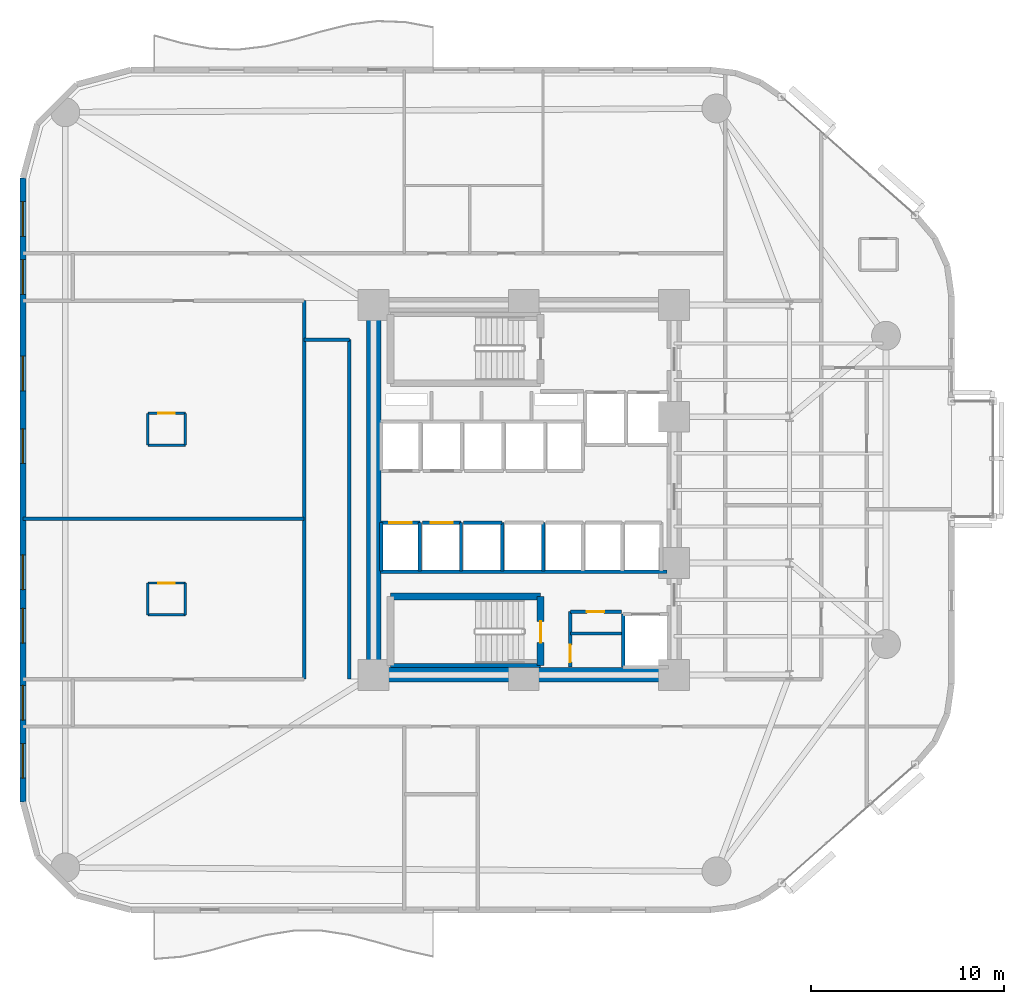
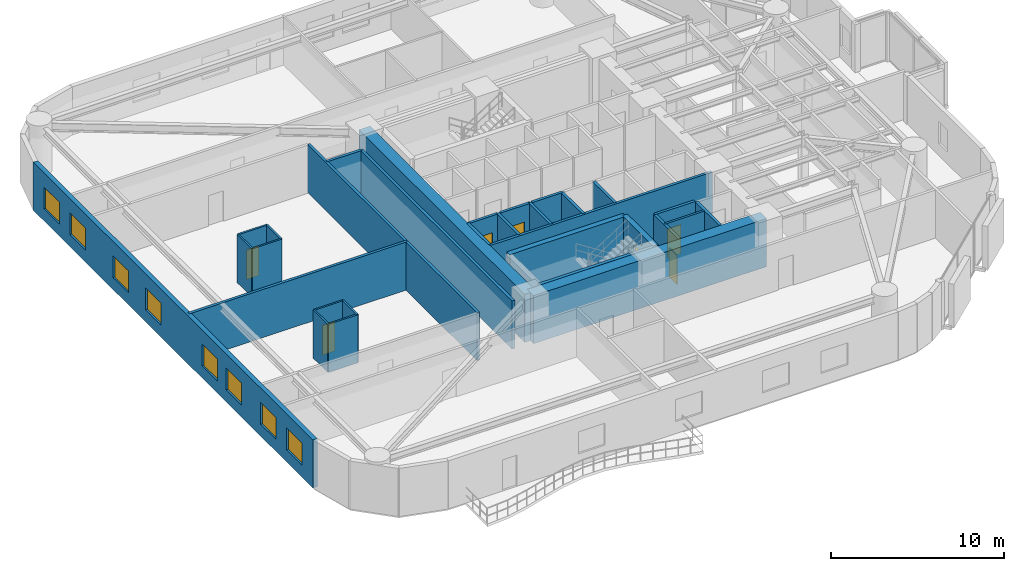
# One storey, part 10 of 16: 31 walls, 8 windows, 7 doors, 15 openings.
"""IFC4 building model written with IfcOpenShell, lengths in metres."""

import ifcopenshell
import ifcopenshell.guid

model = None  # the IFC model being written
_history = None  # IfcOwnerHistory: only IFC2X3 demands one
_inside = {}  # id of a spatial element -> (the spatial element, [elements in it])
_under = {}  # id of a project, library or spatial element -> (it, [spatial elements below it])
_declared = {}  # id of a project -> (the project, [libraries it declares])
_typed = {}  # id of a type object -> (the type object, [elements of that type])
_made_of = {}  # id of a material, layer set ... -> (it, [elements and type objects made of it])


def new_model(schema):
    """Start an empty IFC model of exactly this schema.

    Asked for "IFC4X3", IfcOpenShell would pick the latest addendum, in which some entities
    have other attributes; the version numbers below select the first issue.
    IFC2X3 requires an IfcOwnerHistory on every rooted entity: one is made here for all.
    """
    global model, _history
    if schema == "IFC4X3":
        model = ifcopenshell.file(schema_version=(4, 3, 0, 0))
    else:
        model = ifcopenshell.file(schema=schema)
    _inside.clear()
    _under.clear()
    _declared.clear()
    _typed.clear()
    _made_of.clear()
    _history = None
    if model.schema == "IFC2X3":
        org = make("IfcOrganization", Name="unknown")
        user = make(
            "IfcPersonAndOrganization",
            ThePerson=make("IfcPerson", FamilyName="unknown"),
            TheOrganization=org,
        )
        app = make(
            "IfcApplication",
            ApplicationDeveloper=org,
            Version="unknown",
            ApplicationFullName="unknown",
            ApplicationIdentifier="unknown",
        )
        _history = make(
            "IfcOwnerHistory",
            OwningUser=user,
            OwningApplication=app,
            ChangeAction="ADDED",
            CreationDate=0,
        )
    return model


def make(cls, **values):
    """One entity of the class cls with the attributes given. An attribute that is None is left unset."""
    return model.create_entity(
        cls, **{name: value for name, value in values.items() if value is not None}
    )


def rooted(cls, **values):
    """An entity with a GlobalId (a new one), such as an element, a storey or a relation."""
    return make(cls, GlobalId=ifcopenshell.guid.new(), OwnerHistory=_history, **values)


def si_unit(unit_type, name, prefix=None):
    """IfcSIUnit, for example si_unit("LENGTHUNIT", "METRE", prefix="MILLI")."""
    return make("IfcSIUnit", UnitType=unit_type, Prefix=prefix, Name=name)


def assignment(units):
    """IfcUnitAssignment: the units of a project."""
    return None if units is None else make("IfcUnitAssignment", Units=units)


def point(xyz):
    """IfcCartesianPoint."""
    return None if xyz is None else make("IfcCartesianPoint", Coordinates=xyz)


def direction(xyz):
    """IfcDirection."""
    return None if xyz is None else make("IfcDirection", DirectionRatios=xyz)


def frame(location, z_axis=None, x_axis=None):
    """IfcAxis2Placement3D, a coordinate frame: its origin and axes. An axis left out is left unset."""
    return make(
        "IfcAxis2Placement3D",
        Location=point(location),
        Axis=direction(z_axis),
        RefDirection=direction(x_axis),
    )


def frame_2d(location, x_axis=None):
    """IfcAxis2Placement2D, a coordinate frame in the plane: its origin and x axis."""
    return make(
        "IfcAxis2Placement2D", Location=point(location), RefDirection=direction(x_axis)
    )


def origin():
    """The frame at (0, 0, 0) with its axes left unset."""
    return frame((0.0, 0.0, 0.0))


def place(relative_to, where):
    """IfcLocalPlacement: puts the frame where relative to a parent placement (None: the world)."""
    return make(
        "IfcLocalPlacement", PlacementRelTo=relative_to, RelativePlacement=where
    )


def context(
    kind, dimensions, precision=None, world=None, true_north=None, identifier=None
):
    """IfcGeometricRepresentationContext, for example the 3D "Model" context."""
    return make(
        "IfcGeometricRepresentationContext",
        ContextIdentifier=identifier,
        ContextType=kind,
        CoordinateSpaceDimension=dimensions,
        Precision=precision,
        WorldCoordinateSystem=world,
        TrueNorth=true_north,
    )


def subcontext(parent, identifier, kind, view, scale=None):
    """IfcGeometricRepresentationSubContext, for example "Body" below "Model"."""
    return make(
        "IfcGeometricRepresentationSubContext",
        ContextIdentifier=identifier,
        ContextType=kind,
        ParentContext=parent,
        TargetScale=scale,
        TargetView=view,
    )


def project(units=None, contexts=None):
    """IfcProject with its units and contexts."""
    return rooted(
        "IfcProject",
        Name="project",
        RepresentationContexts=contexts,
        UnitsInContext=assignment(units),
    )


def spatial(cls, under=None, at=None, **own):
    """A site, building, storey or space (cls), placed at a placement, below another one or the project."""
    s = rooted(cls, ObjectPlacement=at, **own)
    if under is not None:
        _under.setdefault(under.id(), (under, []))[1].append(s)
    return s


def profile(cls, at=None, kind="AREA", **sizes):
    """A parametric profile (cls). Its sizes go by their IFC names, for example OverallWidth=200.0."""
    return make(cls, ProfileType=kind, Position=at, **sizes)


def rectangle(**sizes):
    """IfcRectangleProfileDef."""
    return profile("IfcRectangleProfileDef", **sizes)


def extrude(swept, where, along, depth):
    """IfcExtrudedAreaSolid: the profile swept, set in the frame where, extruded along a direction by depth."""
    return make(
        "IfcExtrudedAreaSolid",
        SweptArea=swept,
        Position=where,
        ExtrudedDirection=direction(along),
        Depth=depth,
    )


def shape(context_of_items, identifier, shape_type, items):
    """IfcShapeRepresentation: the items that make up one representation, for example the "Body"."""
    return make(
        "IfcShapeRepresentation",
        ContextOfItems=context_of_items,
        RepresentationIdentifier=identifier,
        RepresentationType=shape_type,
        Items=items,
    )


def material(Name=None, Category=None):
    """IfcMaterial."""
    return make("IfcMaterial", Name=Name, Category=Category)


def layer(
    of_material, thickness, ventilated=None, Name=None, Category=None, Priority=None
):
    """IfcMaterialLayer: one layer of a wall or slab, of a material (None: an air gap)."""
    return make(
        "IfcMaterialLayer",
        Material=of_material,
        LayerThickness=thickness,
        IsVentilated=ventilated,
        Name=Name,
        Category=Category,
        Priority=Priority,
    )


def layer_set(layers, Name=None):
    """IfcMaterialLayerSet."""
    return make("IfcMaterialLayerSet", MaterialLayers=layers, LayerSetName=Name)


def made_of(thing, what):
    """Note that an element or type object is made of a material, layer set ...; save() writes the relation."""
    if what is not None:
        _made_of.setdefault(what.id(), (what, []))[1].append(thing)
    return thing


def type_object(cls, material=None, **own):
    """A type object (cls), such as IfcWallType, which elements share."""
    return made_of(rooted(cls, **own), material)


def element(
    cls,
    number,
    at=None,
    inside=None,
    cuts=None,
    type_object=None,
    material=None,
    context=None,
    identifier="Body",
    shape_type=None,
    held_by="IfcProductDefinitionShape",
    body=None,
    shapes=None,
    **own,
):
    """One element of the class cls, such as IfcWall. Its Tag is "e" and its number.

    at: its placement. inside: the storey or other place that contains it. cuts: it is an
    opening in that element (IfcRelVoidsElement). A single representation is given by context,
    identifier, shape_type and body (its items); several are given by shapes. held_by: the class
    of the entity that holds the representations. save() writes the other relations.
    """
    e = rooted(cls, Tag="e%d" % number, ObjectPlacement=at, **own)
    if body is not None:
        shapes = [shape(context, identifier, shape_type, body)]
    if shapes is not None:
        e.Representation = make(held_by, Representations=shapes)
    if inside is not None:
        _inside.setdefault(inside.id(), (inside, []))[1].append(e)
    if cuts is not None:
        rooted(
            "IfcRelVoidsElement", RelatingBuildingElement=cuts, RelatedOpeningElement=e
        )
    if type_object is not None:
        _typed.setdefault(type_object.id(), (type_object, []))[1].append(e)
    return made_of(e, material)


def fill(opening, filler):
    """IfcRelFillsElement: the door or window that sits in an opening."""
    return rooted(
        "IfcRelFillsElement",
        RelatingOpeningElement=opening,
        RelatedBuildingElement=filler,
    )


def aggregate(whole, parts):
    """IfcRelAggregates: a whole, such as a stair, and the parts it consists of."""
    return rooted("IfcRelAggregates", RelatingObject=whole, RelatedObjects=parts)


def save(model, path):
    """Write the relations noted so far, then the file.

    IfcRelAggregates (storeys below a building ...), IfcRelContainedInSpatialStructure (elements
    in a storey), IfcRelDefinesByType, IfcRelAssociatesMaterial and IfcRelDeclares: one each for
    every whole, place, type object, material and project.
    """
    for whole, parts in _under.values():
        aggregate(whole, parts)
    for where, things in _inside.values():
        rooted(
            "IfcRelContainedInSpatialStructure",
            RelatedElements=things,
            RelatingStructure=where,
        )
    for kind, things in _typed.values():
        rooted("IfcRelDefinesByType", RelatedObjects=things, RelatingType=kind)
    for what, things in _made_of.values():
        rooted("IfcRelAssociatesMaterial", RelatedObjects=things, RelatingMaterial=what)
    for by, libraries in _declared.values():
        rooted("IfcRelDeclares", RelatingContext=by, RelatedDefinitions=libraries)
    model.write(path)


model = new_model("IFC4")

# Units and contexts
model_context = context("Model", 3, precision=1e-05, world=origin(), true_north=direction((0.0, 1.0)))
body_context = subcontext(model_context, "Body", "Model", "MODEL_VIEW")
ifc_project = project(units=[si_unit("LENGTHUNIT", "METRE"), si_unit("AREAUNIT", "SQUARE_METRE"), si_unit("VOLUMEUNIT", "CUBIC_METRE"), si_unit("PLANEANGLEUNIT", "RADIAN"), si_unit("MASSUNIT", "GRAM", prefix="KILO")], contexts=[model_context])

# Site, building, storey
site_placement = place(None, origin())
site = spatial("IfcSite", under=ifc_project, at=site_placement, CompositionType="ELEMENT")
building_placement = place(site_placement, origin())
building = spatial("IfcBuilding", under=site, at=building_placement, Name="An Khanh Terracotta Commons", CompositionType="ELEMENT")
storey_placement = place(building_placement, frame((0.0, 0.0, 68.39990234375)))
storey = spatial("IfcBuildingStorey", under=building, at=storey_placement, Name="L18", CompositionType="ELEMENT", Elevation=68.39990234375)

# Walls
ifc_material_1 = material(Name="Concrete C70/85", Category="concrete")
ifc_layer_1 = layer(ifc_material_1, 0.75, Name="Concrete C70/85")
ifc_layer_set_1 = layer_set([ifc_layer_1], Name="Concrete C70/85")
wall_type_1 = type_object("IfcWallType", Name="WALL-CORE-750", PredefinedType="SHEAR", material=ifc_layer_set_1)
wall_1_placement = place(storey_placement, frame((21.60009765625, 14.39990234375, 0.0), z_axis=(0.0, 0.0, 1.0), x_axis=(0.0, 1.0, 0.0)))
element("IfcWall", 1, at=wall_1_placement, inside=storey, type_object=wall_type_1, Name="L18 Core Wall CWALL-L18-W", PredefinedType="SHEAR", context=body_context, shape_type="SweptSolid", body=[
    extrude(rectangle(XDim=19.2001953125, YDim=0.75, at=frame_2d((9.60009765625, 0.0))), origin(), (0.0, 0.0, 1.0), 3.400146484375),
])
wall_2_placement = place(storey_placement, frame((37.199951171875, 14.39990234375, 0.0), z_axis=(0.0, 0.0, 1.0), x_axis=(-1.0, 0.0, 0.0)))
element("IfcWall", 2, at=wall_2_placement, inside=storey, type_object=wall_type_1, Name="L18 Core Wall CWALL-L18-S", PredefinedType="SHEAR", context=body_context, shape_type="SweptSolid", body=[
    extrude(rectangle(XDim=15.599853515625, YDim=0.75, at=frame_2d((7.7998046875, 0.0))), origin(), (0.0, 0.0, 1.0), 3.400146484375),
])
ifc_material_2 = material(Name="Fire-Rated Gypsum Board on Steel Stud", Category="steel")
ifc_layer_2 = layer(ifc_material_2, 0.179931640625, Name="Fire-Rated Gypsum Board on Steel Stud")
ifc_layer_set_2 = layer_set([ifc_layer_2], Name="Fire-Rated Gypsum Board on Steel Stud")
wall_type_2 = type_object("IfcWallType", Name="WALL-CORR-180", PredefinedType="PARTITIONING", material=ifc_layer_set_2)
wall_3_placement = place(storey_placement, frame((21.949951171875, 19.760009765625, 0.0), z_axis=(0.0, 0.0, 1.0), x_axis=(1.0, 0.0, 0.0)))
element("IfcWall", 3, at=wall_3_placement, inside=storey, type_object=wall_type_2, Name="L18 Core Wall SVW-L18-N", PredefinedType="PARTITIONING", context=body_context, shape_type="SweptSolid", body=[
    extrude(rectangle(XDim=14.8701171875, YDim=0.179931640625, at=frame_2d((7.43505859375, 0.0))), origin(), (0.0, 0.0, 1.0), 3.400146484375),
])

# Wall, opening, door
wall_4_placement = place(storey_placement, frame((31.820068359375, 17.679931640625, 0.0), z_axis=(0.0, 0.0, 1.0), x_axis=(1.0, 0.0, 0.0)))
wall_4 = element("IfcWall", 4, at=wall_4_placement, inside=storey, type_object=wall_type_2, Name="L18 Core Wall SSVCW-L18-N", PredefinedType="PARTITIONING", context=body_context, shape_type="SweptSolid", body=[
    extrude(rectangle(XDim=2.659912109375, YDim=0.179931640625, at=frame_2d((1.330078125, 0.0))), origin(), (0.0, 0.0, 1.0), 3.400146484375),
])
opening_1_placement = place(wall_4_placement, frame((0.85009765625, 0.0, 0.0)))
opening_1 = element("IfcOpeningElement", 5, at=opening_1_placement, cuts=wall_4, Name="Opening D-SV", PredefinedType="OPENING", context=body_context, shape_type="SweptSolid", body=[
    extrude(rectangle(XDim=0.89990234375, YDim=2.050048828125, at=frame_2d((0.449951171875, 1.02490234375))), frame((0.0, 0.099853515625, 0.0), z_axis=(0.0, -1.0, 0.0), x_axis=(1.0, 0.0, 0.0)), (0.0, 0.0, 1.0), 0.199951171875),
])
ifc_material_3 = material(Name="Fire-Rated Powder-Coated Steel Door", Category="steel")
door_type_1 = type_object("IfcDoorType", Name="DOOR-SERV-900", OperationType="NOTDEFINED", PredefinedType="DOOR", material=ifc_material_3)
door_1_placement = place(opening_1_placement, origin())
door_1 = element("IfcDoor", 6, at=door_1_placement, inside=storey, type_object=door_type_1, Name="L18 Core Cleaner Store Door", OperationType="SINGLE_SWING_RIGHT", OverallHeight=2.050048828125, OverallWidth=0.89990234375, PredefinedType="DOOR", context=body_context, shape_type="SweptSolid", body=[
    extrude(rectangle(XDim=0.89990234375, YDim=2.050048828125, at=frame_2d((0.449951171875, 1.02490234375))), frame((0.0, 0.02490234375, 0.0), z_axis=(0.0, -1.0, 0.0), x_axis=(1.0, 0.0, 0.0)), (0.0, 0.0, 1.0), 0.050048828125),
])
fill(opening_1, door_1)

wall_5_placement = place(storey_placement, frame((31.820068359375, 14.800048828125, 0.0), z_axis=(0.0, 0.0, 1.0), x_axis=(0.0, 1.0, 0.0)))
wall_5 = element("IfcWall", 7, at=wall_5_placement, inside=storey, type_object=wall_type_2, Name="L18 Core Wall SSVCW-L18-W", PredefinedType="PARTITIONING", context=body_context, shape_type="SweptSolid", body=[
    extrude(rectangle(XDim=2.8798828125, YDim=0.179931640625, at=frame_2d((1.43994140625, 0.0))), origin(), (0.0, 0.0, 1.0), 3.400146484375),
])
opening_2_placement = place(wall_5_placement, frame((0.260009765625, 0.0, 0.0)))
opening_2 = element("IfcOpeningElement", 8, at=opening_2_placement, cuts=wall_5, Name="Opening D-SV", PredefinedType="OPENING", context=body_context, shape_type="SweptSolid", body=[
    extrude(rectangle(XDim=0.89990234375, YDim=2.050048828125, at=frame_2d((0.449951171875, 1.02490234375))), frame((0.0, 0.099853515625, 0.0), z_axis=(0.0, -1.0, 0.0), x_axis=(1.0, 0.0, 0.0)), (0.0, 0.0, 1.0), 0.199951171875),
])
door_2_placement = place(opening_2_placement, origin())
door_2 = element("IfcDoor", 9, at=door_2_placement, inside=storey, type_object=door_type_1, Name="L18 Telecoms BMS Cupboard Door", OperationType="SINGLE_SWING_LEFT", OverallHeight=2.050048828125, OverallWidth=0.89990234375, PredefinedType="DOOR", context=body_context, shape_type="SweptSolid", body=[
    extrude(rectangle(XDim=0.89990234375, YDim=2.050048828125, at=frame_2d((0.449951171875, 1.02490234375))), frame((0.0, 0.02490234375, 0.0), z_axis=(0.0, -1.0, 0.0), x_axis=(1.0, 0.0, 0.0)), (0.0, 0.0, 1.0), 0.050048828125),
])
fill(opening_2, door_2)

# Wall
wall_6_placement = place(storey_placement, frame((34.550048828125, 17.550048828125, 0.0), z_axis=(0.0, 0.0, 1.0), x_axis=(0.0, -1.0, 0.0)))
element("IfcWall", 10, at=wall_6_placement, inside=storey, type_object=wall_type_2, Name="L18 Core Wall LSH-L18-SVL-01-W", PredefinedType="PARTITIONING", context=body_context, shape_type="SweptSolid", body=[
    extrude(rectangle(XDim=2.75, YDim=0.179931640625, at=frame_2d((1.375, 0.0))), origin(), (0.0, 0.0, 1.0), 3.400146484375),
])

# Wall, opening, door
wall_7_placement = place(storey_placement, frame((22.0, 22.300048828125, 0.0), z_axis=(0.0, 0.0, 1.0), x_axis=(1.0, 0.0, 0.0)))
wall_7 = element("IfcWall", 11, at=wall_7_placement, inside=storey, type_object=wall_type_2, Name="L18 Core Wall LSH-L18-PL-L3-N", PredefinedType="PARTITIONING", context=body_context, shape_type="SweptSolid", body=[
    extrude(rectangle(XDim=2.0, YDim=0.179931640625, at=frame_2d((1.0, 0.0))), origin(), (0.0, 0.0, 1.0), 3.400146484375),
])
opening_3_placement = place(wall_7_placement, frame((0.425048828125, 0.0, 0.0)))
opening_3 = element("IfcOpeningElement", 12, at=opening_3_placement, cuts=wall_7, Name="Opening LD-PL-L3-L18", PredefinedType="OPENING", context=body_context, shape_type="SweptSolid", body=[
    extrude(rectangle(XDim=1.14990234375, YDim=2.199951171875, at=frame_2d((0.574951171875, 1.10009765625))), frame((0.0, 0.099853515625, 0.0), z_axis=(0.0, -1.0, 0.0), x_axis=(1.0, 0.0, 0.0)), (0.0, 0.0, 1.0), 0.199951171875),
])
ifc_material_4 = material(Name="Brushed Stainless Steel Passenger Landing Door", Category="steel")
door_type_2 = type_object("IfcDoorType", Name="DOOR-LD-PAX-1150", OperationType="NOTDEFINED", PredefinedType="DOOR", material=ifc_material_4)
door_3_placement = place(opening_3_placement, origin())
door_3 = element("IfcDoor", 13, at=door_3_placement, inside=storey, type_object=door_type_2, Name="L18 Lift PL-L3 Sliding Landing Door", OperationType="DOUBLE_DOOR_SLIDING", OverallHeight=2.199951171875, OverallWidth=1.14990234375, PredefinedType="DOOR", context=body_context, shape_type="SweptSolid", body=[
    extrude(rectangle(XDim=1.14990234375, YDim=2.199951171875, at=frame_2d((0.574951171875, 1.10009765625))), frame((0.0, 0.02490234375, 0.0), z_axis=(0.0, -1.0, 0.0), x_axis=(1.0, 0.0, 0.0)), (0.0, 0.0, 1.0), 0.050048828125),
])
fill(opening_3, door_3)

# Walls
for number, where, z_axis, x_axis, name in (
    (14, (24.0, 19.800048828125, 0.0), (0.0, 0.0, 1.0), (0.0, 1.0, 0.0), "L18 Core Wall LSH-L18-PL-L3-E"),
    (15, (22.0, 22.300048828125, 0.0), (0.0, 0.0, 1.0), (0.0, -1.0, 0.0), "L18 Core Wall LSH-L18-PL-L3-W"),
):
    element("IfcWall", number, at=place(storey_placement, frame(where, z_axis=z_axis, x_axis=x_axis)), inside=storey, type_object=wall_type_2, Name=name, PredefinedType="PARTITIONING", context=body_context, shape_type="SweptSolid", body=[
        extrude(rectangle(XDim=2.5, YDim=0.179931640625, at=frame_2d((1.25, 0.0))), origin(), (0.0, 0.0, 1.0), 3.400146484375),
    ])

# Wall, opening, door
wall_8_placement = place(storey_placement, frame((24.139892578125, 22.300048828125, 0.0), z_axis=(0.0, 0.0, 1.0), x_axis=(1.0, 0.0, 0.0)))
wall_8 = element("IfcWall", 16, at=wall_8_placement, inside=storey, type_object=wall_type_2, Name="L18 Core Wall LSH-L18-PL-L4-N", PredefinedType="PARTITIONING", context=body_context, shape_type="SweptSolid", body=[
    extrude(rectangle(XDim=2.0, YDim=0.179931640625, at=frame_2d((1.0, 0.0))), origin(), (0.0, 0.0, 1.0), 3.400146484375),
])
opening_4_placement = place(wall_8_placement, frame((0.425048828125, 0.0, 0.0)))
opening_4 = element("IfcOpeningElement", 17, at=opening_4_placement, cuts=wall_8, Name="Opening LD-PL-L4-L18", PredefinedType="OPENING", context=body_context, shape_type="SweptSolid", body=[
    extrude(rectangle(XDim=1.14990234375, YDim=2.199951171875, at=frame_2d((0.574951171875, 1.10009765625))), frame((0.0, 0.099853515625, 0.0), z_axis=(0.0, -1.0, 0.0), x_axis=(1.0, 0.0, 0.0)), (0.0, 0.0, 1.0), 0.199951171875),
])
door_4_placement = place(opening_4_placement, origin())
door_4 = element("IfcDoor", 18, at=door_4_placement, inside=storey, type_object=door_type_2, Name="L18 Lift PL-L4 Sliding Landing Door", OperationType="DOUBLE_DOOR_SLIDING", OverallHeight=2.199951171875, OverallWidth=1.14990234375, PredefinedType="DOOR", context=body_context, shape_type="SweptSolid", body=[
    extrude(rectangle(XDim=1.14990234375, YDim=2.199951171875, at=frame_2d((0.574951171875, 1.10009765625))), frame((0.0, 0.02490234375, 0.0), z_axis=(0.0, -1.0, 0.0), x_axis=(1.0, 0.0, 0.0)), (0.0, 0.0, 1.0), 0.050048828125),
])
fill(opening_4, door_4)

# Walls
wall_9_placement = place(storey_placement, frame((26.139892578125, 19.800048828125, 0.0), z_axis=(0.0, 0.0, 1.0), x_axis=(0.0, 1.0, 0.0)))
element("IfcWall", 19, at=wall_9_placement, inside=storey, type_object=wall_type_2, Name="L18 Core Wall LSH-L18-PL-L4-E", PredefinedType="PARTITIONING", context=body_context, shape_type="SweptSolid", body=[
    extrude(rectangle(XDim=2.5, YDim=0.179931640625, at=frame_2d((1.25, 0.0))), origin(), (0.0, 0.0, 1.0), 3.400146484375),
])
wall_10_placement = place(storey_placement, frame((26.280029296875, 22.300048828125, 0.0), z_axis=(0.0, 0.0, 1.0), x_axis=(1.0, 0.0, 0.0)))
element("IfcWall", 20, at=wall_10_placement, inside=storey, type_object=wall_type_2, Name="L18 Core Wall LSH-L18-PL-M3-N", PredefinedType="PARTITIONING", context=body_context, shape_type="SweptSolid", body=[
    extrude(rectangle(XDim=2.0, YDim=0.179931640625, at=frame_2d((1.0, 0.0))), origin(), (0.0, 0.0, 1.0), 3.400146484375),
])
for number, where, z_axis, x_axis, name in (
    (21, (28.280029296875, 19.800048828125, 0.0), (0.0, 0.0, 1.0), (0.0, 1.0, 0.0), "L18 Core Wall LSH-L18-PL-M3-E"),
    (22, (30.419921875, 19.800048828125, 0.0), (0.0, 0.0, 1.0), (0.0, 1.0, 0.0), "L18 Core Wall LSH-L18-PL-M4-E"),
):
    element("IfcWall", number, at=place(storey_placement, frame(where, z_axis=z_axis, x_axis=x_axis)), inside=storey, type_object=wall_type_2, Name=name, PredefinedType="PARTITIONING", context=body_context, shape_type="SweptSolid", body=[
        extrude(rectangle(XDim=2.5, YDim=0.179931640625, at=frame_2d((1.25, 0.0))), origin(), (0.0, 0.0, 1.0), 3.400146484375),
    ])
wall_11_placement = place(storey_placement, frame((3.39990234375, 22.5, 0.0), z_axis=(0.0, 0.0, 1.0), x_axis=(1.0, 0.0, 0.0)))
element("IfcWall", 23, at=wall_11_placement, inside=storey, type_object=wall_type_2, Name="L18 Interior Partition IW-L18-E005", PredefinedType="PARTITIONING", context=body_context, shape_type="SweptSolid", body=[
    extrude(rectangle(XDim=14.60009765625, YDim=0.179931640625, at=frame_2d((7.300048828125, 0.0))), origin(), (0.0, 0.0, 1.0), 3.400146484375),
])
wall_12_placement = place(storey_placement, frame((18.0, 31.800048828125, 0.0), z_axis=(0.0, 0.0, 1.0), x_axis=(1.0, 0.0, 0.0)))
element("IfcWall", 24, at=wall_12_placement, inside=storey, type_object=wall_type_2, Name="L18 Interior Partition IW-L18-E009", PredefinedType="PARTITIONING", context=body_context, shape_type="SweptSolid", body=[
    extrude(rectangle(XDim=2.35009765625, YDim=0.179931640625, at=frame_2d((1.175048828125, 0.0))), origin(), (0.0, 0.0, 1.0), 3.400146484375),
])
wall_13_placement = place(storey_placement, frame((18.0, 14.179931640625, 0.0), z_axis=(0.0, 0.0, 1.0), x_axis=(0.0, 1.0, 0.0)))
element("IfcWall", 25, at=wall_13_placement, inside=storey, type_object=wall_type_2, Name="L18 Interior Partition IW-L18-E016", PredefinedType="PARTITIONING", context=body_context, shape_type="SweptSolid", body=[
    extrude(rectangle(XDim=19.64013671875, YDim=0.179931640625, at=frame_2d((9.820068359375, 0.0))), origin(), (0.0, 0.0, 1.0), 3.400146484375),
])
wall_14_placement = place(storey_placement, frame((20.35009765625, 14.179931640625, 0.0), z_axis=(0.0, 0.0, 1.0), x_axis=(0.0, 1.0, 0.0)))
element("IfcWall", 26, at=wall_14_placement, inside=storey, type_object=wall_type_2, Name="L18 Interior Partition IW-L18-E017", PredefinedType="PARTITIONING", context=body_context, shape_type="SweptSolid", body=[
    extrude(rectangle(XDim=17.6201171875, YDim=0.179931640625, at=frame_2d((8.81005859375, 0.0))), origin(), (0.0, 0.0, 1.0), 3.400146484375),
])

# Wall, openings, windows
ifc_material_5 = material(Name="Precast concrete C40/50", Category="concrete")
ifc_layer_3 = layer(ifc_material_5, 0.300048828125, Name="Precast concrete C40/50")
ifc_layer_set_3 = layer_set([ifc_layer_3], Name="Precast concrete C40/50")
wall_type_3 = type_object("IfcWallType", Name="WALL-EXT-300", PredefinedType="SOLIDWALL", material=ifc_layer_set_3)
wall_15_placement = place(storey_placement, frame((3.39990234375, 40.199951171875, 0.0), z_axis=(0.0, 0.0, 1.0), x_axis=(0.0, -1.0, 0.0)))
wall_15 = element("IfcWall", 27, at=wall_15_placement, inside=storey, type_object=wall_type_3, Name="L18 Insulated Terracotta Exterior Wall 24", PredefinedType="SOLIDWALL", context=body_context, shape_type="SweptSolid", body=[
    extrude(rectangle(XDim=32.39990234375, YDim=0.300048828125, at=frame_2d((16.199951171875, 0.0))), origin(), (0.0, 0.0, 1.0), 3.400146484375),
])
opening_5_placement = place(wall_15_placement, frame((1.235107421875, 0.0, 0.85009765625)))
opening_5 = element("IfcOpeningElement", 28, at=opening_5_placement, cuts=wall_15, Name="Opening W-01", PredefinedType="OPENING", context=body_context, shape_type="SweptSolid", body=[
    extrude(rectangle(XDim=1.800048828125, YDim=1.550048828125, at=frame_2d((0.89990234375, 0.77490234375))), frame((0.0, 0.159912109375, 0.0), z_axis=(0.0, -1.0, 0.0), x_axis=(1.0, 0.0, 0.0)), (0.0, 0.0, 1.0), 0.320068359375),
])
opening_6_placement = place(wall_15_placement, frame((4.25, 0.0, 0.85009765625)))
opening_6 = element("IfcOpeningElement", 29, at=opening_6_placement, cuts=wall_15, Name="Opening W-01", PredefinedType="OPENING", context=body_context, shape_type="SweptSolid", body=[
    extrude(rectangle(XDim=1.800048828125, YDim=1.550048828125, at=frame_2d((0.89990234375, 0.77490234375))), frame((0.0, 0.159912109375, 0.0), z_axis=(0.0, -1.0, 0.0), x_axis=(1.0, 0.0, 0.0)), (0.0, 0.0, 1.0), 0.320068359375),
])
opening_7_placement = place(wall_15_placement, frame((9.2529296875, 0.0, 0.85009765625)))
opening_7 = element("IfcOpeningElement", 30, at=opening_7_placement, cuts=wall_15, Name="Opening W-01", PredefinedType="OPENING", context=body_context, shape_type="SweptSolid", body=[
    extrude(rectangle(XDim=1.800048828125, YDim=1.550048828125, at=frame_2d((0.89990234375, 0.77490234375))), frame((0.0, 0.159912109375, 0.0), z_axis=(0.0, -1.0, 0.0), x_axis=(1.0, 0.0, 0.0)), (0.0, 0.0, 1.0), 0.320068359375),
])
opening_8_placement = place(wall_15_placement, frame((13.027099609375, 0.0, 0.85009765625)))
opening_8 = element("IfcOpeningElement", 31, at=opening_8_placement, cuts=wall_15, Name="Opening W-01", PredefinedType="OPENING", context=body_context, shape_type="SweptSolid", body=[
    extrude(rectangle(XDim=1.800048828125, YDim=1.550048828125, at=frame_2d((0.89990234375, 0.77490234375))), frame((0.0, 0.159912109375, 0.0), z_axis=(0.0, -1.0, 0.0), x_axis=(1.0, 0.0, 0.0)), (0.0, 0.0, 1.0), 0.320068359375),
])
opening_9_placement = place(wall_15_placement, frame((19.572998046875, 0.0, 0.85009765625)))
opening_9 = element("IfcOpeningElement", 32, at=opening_9_placement, cuts=wall_15, Name="Opening W-01", PredefinedType="OPENING", context=body_context, shape_type="SweptSolid", body=[
    extrude(rectangle(XDim=1.800048828125, YDim=1.550048828125, at=frame_2d((0.89990234375, 0.77490234375))), frame((0.0, 0.159912109375, 0.0), z_axis=(0.0, -1.0, 0.0), x_axis=(1.0, 0.0, 0.0)), (0.0, 0.0, 1.0), 0.320068359375),
])
opening_10_placement = place(wall_15_placement, frame((22.346923828125, 0.0, 0.85009765625)))
opening_10 = element("IfcOpeningElement", 33, at=opening_10_placement, cuts=wall_15, Name="Opening W-01", PredefinedType="OPENING", context=body_context, shape_type="SweptSolid", body=[
    extrude(rectangle(XDim=1.800048828125, YDim=1.550048828125, at=frame_2d((0.89990234375, 0.77490234375))), frame((0.0, 0.159912109375, 0.0), z_axis=(0.0, -1.0, 0.0), x_axis=(1.0, 0.0, 0.0)), (0.0, 0.0, 1.0), 0.320068359375),
])
opening_11_placement = place(wall_15_placement, frame((26.35009765625, 0.0, 0.85009765625)))
opening_11 = element("IfcOpeningElement", 34, at=opening_11_placement, cuts=wall_15, Name="Opening W-01", PredefinedType="OPENING", context=body_context, shape_type="SweptSolid", body=[
    extrude(rectangle(XDim=1.800048828125, YDim=1.550048828125, at=frame_2d((0.89990234375, 0.77490234375))), frame((0.0, 0.159912109375, 0.0), z_axis=(0.0, -1.0, 0.0), x_axis=(1.0, 0.0, 0.0)), (0.0, 0.0, 1.0), 0.320068359375),
])
opening_12_placement = place(wall_15_placement, frame((29.364990234375, 0.0, 0.85009765625)))
opening_12 = element("IfcOpeningElement", 35, at=opening_12_placement, cuts=wall_15, Name="Opening W-01", PredefinedType="OPENING", context=body_context, shape_type="SweptSolid", body=[
    extrude(rectangle(XDim=1.800048828125, YDim=1.550048828125, at=frame_2d((0.89990234375, 0.77490234375))), frame((0.0, 0.159912109375, 0.0), z_axis=(0.0, -1.0, 0.0), x_axis=(1.0, 0.0, 0.0)), (0.0, 0.0, 1.0), 0.320068359375),
])
ifc_material_6 = material(Name="Thermally Broken Aluminium and Low-E Glass", Category="aluminium")
window_type = type_object("IfcWindowType", Name="WIN-Z1-1800x1550", PartitioningType="DOUBLE_PANEL_VERTICAL", PredefinedType="WINDOW", material=ifc_material_6)
window_1_placement = place(opening_5_placement, origin())
window_1 = element("IfcWindow", 36, at=window_1_placement, inside=storey, type_object=window_type, Name="L18 Operable Casement Window 24.1", OverallHeight=1.550048828125, OverallWidth=1.800048828125, PartitioningType="DOUBLE_PANEL_VERTICAL", PredefinedType="WINDOW", context=body_context, shape_type="SweptSolid", body=[
    extrude(rectangle(XDim=1.800048828125, YDim=1.550048828125, at=frame_2d((0.89990234375, 0.77490234375))), frame((0.0, 0.030029296875, 0.0), z_axis=(0.0, -1.0, 0.0), x_axis=(1.0, 0.0, 0.0)), (0.0, 0.0, 1.0), 0.06005859375),
])
fill(opening_5, window_1)
window_2_placement = place(opening_6_placement, origin())
window_2 = element("IfcWindow", 37, at=window_2_placement, inside=storey, type_object=window_type, Name="L18 Operable Casement Window 24.2", OverallHeight=1.550048828125, OverallWidth=1.800048828125, PartitioningType="DOUBLE_PANEL_VERTICAL", PredefinedType="WINDOW", context=body_context, shape_type="SweptSolid", body=[
    extrude(rectangle(XDim=1.800048828125, YDim=1.550048828125, at=frame_2d((0.89990234375, 0.77490234375))), frame((0.0, 0.030029296875, 0.0), z_axis=(0.0, -1.0, 0.0), x_axis=(1.0, 0.0, 0.0)), (0.0, 0.0, 1.0), 0.06005859375),
])
fill(opening_6, window_2)
window_3_placement = place(opening_7_placement, origin())
window_3 = element("IfcWindow", 38, at=window_3_placement, inside=storey, type_object=window_type, Name="L18 Operable Casement Window 24.3", OverallHeight=1.550048828125, OverallWidth=1.800048828125, PartitioningType="DOUBLE_PANEL_VERTICAL", PredefinedType="WINDOW", context=body_context, shape_type="SweptSolid", body=[
    extrude(rectangle(XDim=1.800048828125, YDim=1.550048828125, at=frame_2d((0.89990234375, 0.77490234375))), frame((0.0, 0.030029296875, 0.0), z_axis=(0.0, -1.0, 0.0), x_axis=(1.0, 0.0, 0.0)), (0.0, 0.0, 1.0), 0.06005859375),
])
fill(opening_7, window_3)
window_4_placement = place(opening_8_placement, origin())
window_4 = element("IfcWindow", 39, at=window_4_placement, inside=storey, type_object=window_type, Name="L18 Operable Casement Window 24.4", OverallHeight=1.550048828125, OverallWidth=1.800048828125, PartitioningType="DOUBLE_PANEL_VERTICAL", PredefinedType="WINDOW", context=body_context, shape_type="SweptSolid", body=[
    extrude(rectangle(XDim=1.800048828125, YDim=1.550048828125, at=frame_2d((0.89990234375, 0.77490234375))), frame((0.0, 0.030029296875, 0.0), z_axis=(0.0, -1.0, 0.0), x_axis=(1.0, 0.0, 0.0)), (0.0, 0.0, 1.0), 0.06005859375),
])
fill(opening_8, window_4)
window_5_placement = place(opening_9_placement, origin())
window_5 = element("IfcWindow", 40, at=window_5_placement, inside=storey, type_object=window_type, Name="L18 Operable Casement Window 24.5", OverallHeight=1.550048828125, OverallWidth=1.800048828125, PartitioningType="DOUBLE_PANEL_VERTICAL", PredefinedType="WINDOW", context=body_context, shape_type="SweptSolid", body=[
    extrude(rectangle(XDim=1.800048828125, YDim=1.550048828125, at=frame_2d((0.89990234375, 0.77490234375))), frame((0.0, 0.030029296875, 0.0), z_axis=(0.0, -1.0, 0.0), x_axis=(1.0, 0.0, 0.0)), (0.0, 0.0, 1.0), 0.06005859375),
])
fill(opening_9, window_5)
window_6_placement = place(opening_10_placement, origin())
window_6 = element("IfcWindow", 41, at=window_6_placement, inside=storey, type_object=window_type, Name="L18 Operable Casement Window 24.6", OverallHeight=1.550048828125, OverallWidth=1.800048828125, PartitioningType="DOUBLE_PANEL_VERTICAL", PredefinedType="WINDOW", context=body_context, shape_type="SweptSolid", body=[
    extrude(rectangle(XDim=1.800048828125, YDim=1.550048828125, at=frame_2d((0.89990234375, 0.77490234375))), frame((0.0, 0.030029296875, 0.0), z_axis=(0.0, -1.0, 0.0), x_axis=(1.0, 0.0, 0.0)), (0.0, 0.0, 1.0), 0.06005859375),
])
fill(opening_10, window_6)
window_7_placement = place(opening_11_placement, origin())
window_7 = element("IfcWindow", 42, at=window_7_placement, inside=storey, type_object=window_type, Name="L18 Operable Casement Window 24.7", OverallHeight=1.550048828125, OverallWidth=1.800048828125, PartitioningType="DOUBLE_PANEL_VERTICAL", PredefinedType="WINDOW", context=body_context, shape_type="SweptSolid", body=[
    extrude(rectangle(XDim=1.800048828125, YDim=1.550048828125, at=frame_2d((0.89990234375, 0.77490234375))), frame((0.0, 0.030029296875, 0.0), z_axis=(0.0, -1.0, 0.0), x_axis=(1.0, 0.0, 0.0)), (0.0, 0.0, 1.0), 0.06005859375),
])
fill(opening_11, window_7)
window_8_placement = place(opening_12_placement, origin())
window_8 = element("IfcWindow", 43, at=window_8_placement, inside=storey, type_object=window_type, Name="L18 Operable Casement Window 24.8", OverallHeight=1.550048828125, OverallWidth=1.800048828125, PartitioningType="DOUBLE_PANEL_VERTICAL", PredefinedType="WINDOW", context=body_context, shape_type="SweptSolid", body=[
    extrude(rectangle(XDim=1.800048828125, YDim=1.550048828125, at=frame_2d((0.89990234375, 0.77490234375))), frame((0.0, 0.030029296875, 0.0), z_axis=(0.0, -1.0, 0.0), x_axis=(1.0, 0.0, 0.0)), (0.0, 0.0, 1.0), 0.06005859375),
])
fill(opening_12, window_8)

# Walls
ifc_material_7 = material(Name="Acoustic Gypsum Board Partition")
ifc_layer_4 = layer(ifc_material_7, 0.14990234375, Name="Acoustic Gypsum Board Partition")
ifc_layer_set_4 = layer_set([ifc_layer_4], Name="Acoustic Gypsum Board Partition")
wall_type_4 = type_object("IfcWallType", Name="WALL-PART-150", PredefinedType="PARTITIONING", material=ifc_layer_set_4)
wall_16_placement = place(storey_placement, frame((31.820068359375, 16.550048828125, 0.0), z_axis=(0.0, 0.0, 1.0), x_axis=(1.0, 0.0, 0.0)))
element("IfcWall", 44, at=wall_16_placement, inside=storey, type_object=wall_type_4, Name="L18 Core Wall SSVCW-L18-M", PredefinedType="PARTITIONING", context=body_context, shape_type="SweptSolid", body=[
    extrude(rectangle(XDim=2.659912109375, YDim=0.14990234375, at=frame_2d((1.330078125, 0.0))), origin(), (0.0, 0.0, 1.0), 3.400146484375),
])
ifc_material_8 = material(Name="Acoustic Double-Stud Gypsum and Mineral Wool")
ifc_layer_5 = layer(ifc_material_8, 0.219970703125, Name="Acoustic Double-Stud Gypsum and Mineral Wool")
ifc_layer_set_5 = layer_set([ifc_layer_5], Name="Acoustic Double-Stud Gypsum and Mineral Wool")
wall_type_5 = type_object("IfcWallType", Name="WALL-PARTY-220", PredefinedType="PARTITIONING", material=ifc_layer_set_5)
wall_17_placement = place(storey_placement, frame((22.47998046875, 14.889892578125, 0.0), z_axis=(0.0, 0.0, 1.0), x_axis=(1.0, 0.0, 0.0)))
element("IfcWall", 45, at=wall_17_placement, inside=storey, type_object=wall_type_5, Name="L18 Core Wall STW-L18-S-S", PredefinedType="PARTITIONING", context=body_context, shape_type="SweptSolid", body=[
    extrude(rectangle(XDim=7.7900390625, YDim=0.219970703125, at=frame_2d((3.89501953125, 0.0))), origin(), (0.0, 0.0, 1.0), 3.400146484375),
])
ifc_material_9 = material(Name="Concrete C50/60", Category="concrete")
ifc_layer_6 = layer(ifc_material_9, 0.35009765625, Name="Concrete C50/60")
ifc_layer_set_6 = layer_set([ifc_layer_6], Name="Concrete C50/60")
wall_type_6 = type_object("IfcWallType", Name="WALL-SHAFT-350", PredefinedType="SOLIDWALL", material=ifc_layer_set_6)
wall_18_placement = place(storey_placement, frame((22.47998046875, 18.469970703125, 0.0), z_axis=(0.0, 0.0, 1.0), x_axis=(1.0, 0.0, 0.0)))
element("IfcWall", 46, at=wall_18_placement, inside=storey, type_object=wall_type_6, Name="L18 Core Wall STW-L18-S-N", PredefinedType="SOLIDWALL", context=body_context, shape_type="SweptSolid", body=[
    extrude(rectangle(XDim=7.7900390625, YDim=0.35009765625, at=frame_2d((3.89501953125, 0.0))), origin(), (0.0, 0.0, 1.0), 3.400146484375),
])

# Wall, opening, door
wall_19_placement = place(storey_placement, frame((30.27001953125, 14.889892578125, 0.0), z_axis=(0.0, 0.0, 1.0), x_axis=(0.0, 1.0, 0.0)))
wall_19 = element("IfcWall", 47, at=wall_19_placement, inside=storey, type_object=wall_type_6, Name="L18 Core Wall STW-L18-S-E", PredefinedType="SOLIDWALL", context=body_context, shape_type="SweptSolid", body=[
    extrude(rectangle(XDim=3.580078125, YDim=0.35009765625, at=frame_2d((1.7900390625, 0.0))), origin(), (0.0, 0.0, 1.0), 3.400146484375),
])
opening_13_placement = place(wall_19_placement, frame((1.18994140625, 0.0, 0.0)))
opening_13 = element("IfcOpeningElement", 48, at=opening_13_placement, cuts=wall_19, Name="Opening D-ST", PredefinedType="OPENING", context=body_context, shape_type="SweptSolid", body=[
    extrude(rectangle(XDim=1.10009765625, YDim=2.14990234375, at=frame_2d((0.550048828125, 1.074951171875))), frame((0.0, 0.18505859375, 0.0), z_axis=(0.0, -1.0, 0.0), x_axis=(1.0, 0.0, 0.0)), (0.0, 0.0, 1.0), 0.3701171875),
])
ifc_material_10 = material(Name="Fire-Rated Steel Leaf and Frame", Category="steel")
door_type_3 = type_object("IfcDoorType", Name="DOOR-STAIR-1100", OperationType="NOTDEFINED", PredefinedType="DOOR", material=ifc_material_10)
door_5_placement = place(opening_13_placement, origin())
door_5 = element("IfcDoor", 49, at=door_5_placement, inside=storey, type_object=door_type_3, Name="L18 Stair ST-02 Fire Door", OperationType="SINGLE_SWING_LEFT", OverallHeight=2.14990234375, OverallWidth=1.10009765625, PredefinedType="DOOR", context=body_context, shape_type="SweptSolid", body=[
    extrude(rectangle(XDim=1.10009765625, YDim=2.14990234375, at=frame_2d((0.550048828125, 1.074951171875))), frame((0.0, 0.02490234375, 0.0), z_axis=(0.0, -1.0, 0.0), x_axis=(1.0, 0.0, 0.0)), (0.0, 0.0, 1.0), 0.050048828125),
])
fill(opening_13, door_5)

ifc_material_11 = material(Name="Moisture-Resistant Cement Board Partition")
ifc_layer_7 = layer(ifc_material_11, 0.1201171875, Name="Moisture-Resistant Cement Board Partition")
ifc_layer_set_7 = layer_set([ifc_layer_7], Name="Moisture-Resistant Cement Board Partition")
wall_type_7 = type_object("IfcWallType", Name="WALL-WET-120", PredefinedType="PARTITIONING", material=ifc_layer_set_7)
wall_20_placement = place(storey_placement, frame((9.885009765625, 19.1650390625, 0.0), z_axis=(0.0, 0.0, 1.0), x_axis=(1.0, 0.0, 0.0)))
wall_20 = element("IfcWall", 50, at=wall_20_placement, inside=storey, type_object=wall_type_7, Name="L18 Interior Partition IW-L18-WW1-BN", PredefinedType="PARTITIONING", context=body_context, shape_type="SweptSolid", body=[
    extrude(rectangle(XDim=1.949951171875, YDim=0.1201171875, at=frame_2d((0.97509765625, 0.0))), origin(), (0.0, 0.0, 1.0), 3.400146484375),
])
opening_14_placement = place(wall_20_placement, frame((0.544921875, 0.0, 0.0)))
opening_14 = element("IfcOpeningElement", 51, at=opening_14_placement, cuts=wall_20, Name="Opening D-ENS", PredefinedType="OPENING", context=body_context, shape_type="SweptSolid", body=[
    extrude(rectangle(XDim=0.860107421875, YDim=2.10009765625, at=frame_2d((0.43017578125, 1.050048828125))), frame((0.0, 0.070068359375, 0.0), z_axis=(0.0, -1.0, 0.0), x_axis=(1.0, 0.0, 0.0)), (0.0, 0.0, 1.0), 0.14013671875),
])
ifc_material_12 = material(Name="Moisture-Resistant Hardwood Timber Leaf", Category="wood")
door_type_4 = type_object("IfcDoorType", Name="DOOR-BATH-860", OperationType="NOTDEFINED", PredefinedType="DOOR", material=ifc_material_12)
door_6_placement = place(opening_14_placement, origin())
door_6 = element("IfcDoor", 52, at=door_6_placement, inside=storey, type_object=door_type_4, Name="L18 Studio WW1 En-suite Door", OperationType="SINGLE_SWING_LEFT", OverallHeight=2.10009765625, OverallWidth=0.860107421875, PredefinedType="DOOR", context=body_context, shape_type="SweptSolid", body=[
    extrude(rectangle(XDim=0.860107421875, YDim=2.10009765625, at=frame_2d((0.43017578125, 1.050048828125))), frame((0.0, 0.02490234375, 0.0), z_axis=(0.0, -1.0, 0.0), x_axis=(1.0, 0.0, 0.0)), (0.0, 0.0, 1.0), 0.050048828125),
])
fill(opening_14, door_6)

# Walls
wall_21_placement = place(storey_placement, frame((11.8349609375, 17.514892578125, 0.0), z_axis=(0.0, 0.0, 1.0), x_axis=(-1.0, 0.0, 0.0)))
element("IfcWall", 53, at=wall_21_placement, inside=storey, type_object=wall_type_7, Name="L18 Interior Partition IW-L18-WW1-BS", PredefinedType="PARTITIONING", context=body_context, shape_type="SweptSolid", body=[
    extrude(rectangle(XDim=1.949951171875, YDim=0.1201171875, at=frame_2d((0.97509765625, 0.0))), origin(), (0.0, 0.0, 1.0), 3.400146484375),
])
for number, where, z_axis, x_axis, name in (
    (54, (9.885009765625, 19.1650390625, 0.0), (0.0, 0.0, 1.0), (0.0, -1.0, 0.0), "L18 Interior Partition IW-L18-WW1-BW"),
    (55, (11.8349609375, 17.514892578125, 0.0), (0.0, 0.0, 1.0), (0.0, 1.0, 0.0), "L18 Interior Partition IW-L18-WW1-BE"),
):
    element("IfcWall", number, at=place(storey_placement, frame(where, z_axis=z_axis, x_axis=x_axis)), inside=storey, type_object=wall_type_7, Name=name, PredefinedType="PARTITIONING", context=body_context, shape_type="SweptSolid", body=[
        extrude(rectangle(XDim=1.650146484375, YDim=0.1201171875, at=frame_2d((0.8251953125, 0.0))), origin(), (0.0, 0.0, 1.0), 3.400146484375),
    ])

# Wall, opening, door
wall_22_placement = place(storey_placement, frame((9.885009765625, 27.97509765625, 0.0), z_axis=(0.0, 0.0, 1.0), x_axis=(1.0, 0.0, 0.0)))
wall_22 = element("IfcWall", 56, at=wall_22_placement, inside=storey, type_object=wall_type_7, Name="L18 Interior Partition IW-L18-WW2-BN", PredefinedType="PARTITIONING", context=body_context, shape_type="SweptSolid", body=[
    extrude(rectangle(XDim=1.949951171875, YDim=0.1201171875, at=frame_2d((0.97509765625, 0.0))), origin(), (0.0, 0.0, 1.0), 3.400146484375),
])
opening_15_placement = place(wall_22_placement, frame((0.544921875, 0.0, 0.0)))
opening_15 = element("IfcOpeningElement", 57, at=opening_15_placement, cuts=wall_22, Name="Opening D-ENS", PredefinedType="OPENING", context=body_context, shape_type="SweptSolid", body=[
    extrude(rectangle(XDim=0.860107421875, YDim=2.10009765625, at=frame_2d((0.43017578125, 1.050048828125))), frame((0.0, 0.070068359375, 0.0), z_axis=(0.0, -1.0, 0.0), x_axis=(1.0, 0.0, 0.0)), (0.0, 0.0, 1.0), 0.14013671875),
])
door_7_placement = place(opening_15_placement, origin())
door_7 = element("IfcDoor", 58, at=door_7_placement, inside=storey, type_object=door_type_4, Name="L18 Studio WW2 En-suite Door", OperationType="SINGLE_SWING_RIGHT", OverallHeight=2.10009765625, OverallWidth=0.860107421875, PredefinedType="DOOR", context=body_context, shape_type="SweptSolid", body=[
    extrude(rectangle(XDim=0.860107421875, YDim=2.10009765625, at=frame_2d((0.43017578125, 1.050048828125))), frame((0.0, 0.02490234375, 0.0), z_axis=(0.0, -1.0, 0.0), x_axis=(1.0, 0.0, 0.0)), (0.0, 0.0, 1.0), 0.050048828125),
])
fill(opening_15, door_7)

# Walls
wall_23_placement = place(storey_placement, frame((11.8349609375, 26.324951171875, 0.0), z_axis=(0.0, 0.0, 1.0), x_axis=(-1.0, 0.0, 0.0)))
element("IfcWall", 59, at=wall_23_placement, inside=storey, type_object=wall_type_7, Name="L18 Interior Partition IW-L18-WW2-BS", PredefinedType="PARTITIONING", context=body_context, shape_type="SweptSolid", body=[
    extrude(rectangle(XDim=1.949951171875, YDim=0.1201171875, at=frame_2d((0.97509765625, 0.0))), origin(), (0.0, 0.0, 1.0), 3.400146484375),
])
for number, where, z_axis, x_axis, name in (
    (60, (9.885009765625, 27.97509765625, 0.0), (0.0, 0.0, 1.0), (0.0, -1.0, 0.0), "L18 Interior Partition IW-L18-WW2-BW"),
    (61, (11.8349609375, 26.324951171875, 0.0), (0.0, 0.0, 1.0), (0.0, 1.0, 0.0), "L18 Interior Partition IW-L18-WW2-BE"),
):
    element("IfcWall", number, at=place(storey_placement, frame(where, z_axis=z_axis, x_axis=x_axis)), inside=storey, type_object=wall_type_7, Name=name, PredefinedType="PARTITIONING", context=body_context, shape_type="SweptSolid", body=[
        extrude(rectangle(XDim=1.650146484375, YDim=0.1201171875, at=frame_2d((0.8251953125, 0.0))), origin(), (0.0, 0.0, 1.0), 3.400146484375),
    ])

save(model, "model.ifc")
